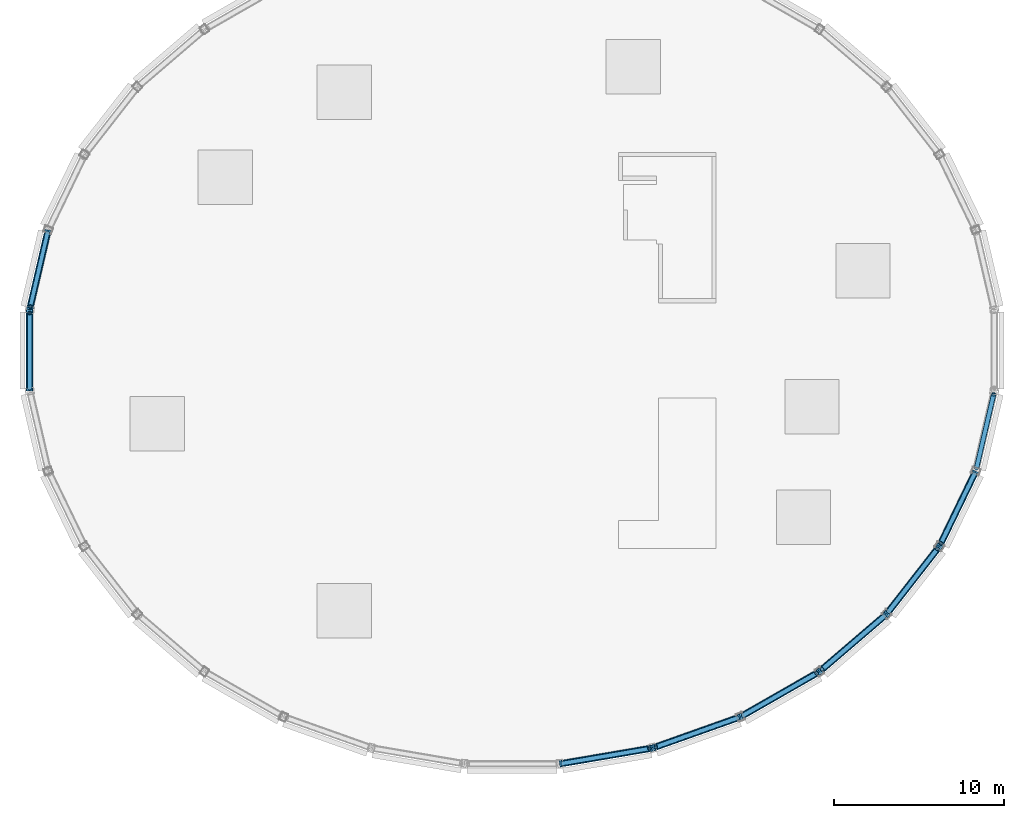
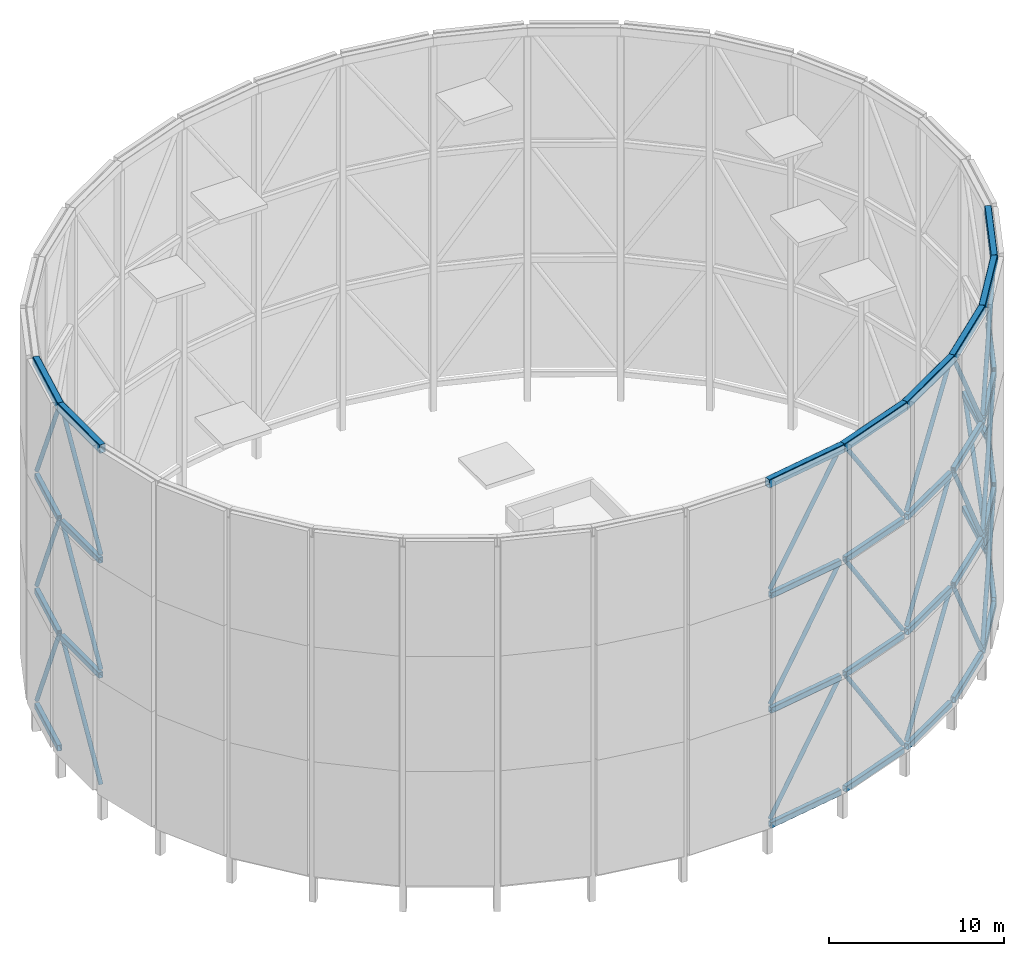
# One storey, part 4 of 8: 33 beams, 25 members.
"""IFC4 building model written with IfcOpenShell, lengths in metres."""

from ifc_helpers import new_model, si_unit, direction, frame, origin, origin_2d, place, context, subcontext, project, spatial, hollow_rectangle, hollow_circle, extrude, material, material_profile, profile_set, type_object, element, save


model = new_model("IFC4")

# Units and contexts
model_context = context("Model", 3, precision=1e-05, world=origin(), true_north=direction((0.0, 1.0)))
body_context = subcontext(model_context, "Body", "Model", "MODEL_VIEW")
ifc_project = project(units=[si_unit("LENGTHUNIT", "METRE"), si_unit("AREAUNIT", "SQUARE_METRE"), si_unit("VOLUMEUNIT", "CUBIC_METRE"), si_unit("PLANEANGLEUNIT", "RADIAN"), si_unit("MASSUNIT", "GRAM", prefix="KILO")], contexts=[model_context])

# Site, building, storey
site_placement = place(None, origin())
site = spatial("IfcSite", under=ifc_project, at=site_placement, CompositionType="ELEMENT")
building_placement = place(site_placement, origin())
building = spatial("IfcBuilding", under=site, at=building_placement, Name="Halqa Exchange Tower", CompositionType="ELEMENT")
storey_placement = place(building_placement, frame((0.0, 0.0, 355.300048828125)))
storey = spatial("IfcBuildingStorey", under=building, at=storey_placement, Name="Roof level crown frame", CompositionType="ELEMENT", Elevation=355.300048828125)

# Members
ifc_material = material(Name="Steel S355", Category="steel")
ifc_material_profile_1 = material_profile(ifc_material, hollow_circle(Radius=0.136474609375, WallThickness=0.01611328125, at=origin_2d()), Name="CHS 273x16")
ifc_profile_set_1 = profile_set([ifc_material_profile_1], Name="Steel S355")
member_type = type_object("IfcMemberType", Name="CROWN FRAME brace CHS 273x16", PredefinedType="BRACE", material=ifc_profile_set_1)
member_1_placement = place(storey_placement, frame((-27.31591796875, 6.906005859375, 2.199951171875), z_axis=(-0.114045514436, -0.491488463358, 0.86338445146), x_axis=(0.974119033912, -0.22603563385, 0.0)))
element("IfcMember", 1, at=member_1_placement, inside=storey, type_object=member_type, Name="Crown frame brace 2.15", PredefinedType="BRACE", context=body_context, shape_type="SweptSolid", body=[
    extrude(hollow_circle(Radius=0.136474609375, WallThickness=0.01611328125, at=origin_2d()), origin(), (0.0, 0.0, 1.0), 8.802734375),
])
member_2_placement = place(storey_placement, frame((-28.36279296875, 2.204345703125, 9.800048828125), z_axis=(0.0, -0.501772148511, -0.864999832936), x_axis=(1.0, 0.0, 0.0)))
element("IfcMember", 2, at=member_2_placement, inside=storey, type_object=member_type, Name="Crown frame brace 2.16", PredefinedType="BRACE", context=body_context, shape_type="SweptSolid", body=[
    extrude(hollow_circle(Radius=0.136474609375, WallThickness=0.01611328125, at=origin_2d()), origin(), (0.0, 0.0, 1.0), 8.7861328125),
])
member_3_placement = place(storey_placement, frame((2.980712890625, -24.279052734375, 2.199951171875), z_axis=(0.555086491161, 0.094638132042, 0.826391318501), x_axis=(-0.168067416098, 0.985775503675, 0.0)))
element("IfcMember", 3, at=member_3_placement, inside=storey, type_object=member_type, Name="Crown frame brace 2.25", PredefinedType="BRACE", context=body_context, shape_type="SweptSolid", body=[
    extrude(hollow_circle(Radius=0.136474609375, WallThickness=0.01611328125, at=origin_2d()), origin(), (0.0, 0.0, 1.0), 9.19677734375),
])
member_4_placement = place(storey_placement, frame((8.4521484375, -23.31298828125, 9.800048828125), z_axis=(0.52490509772, 0.186351314235, -0.830510581552), x_axis=(-0.334560791797, 0.942374170164, 0.0)))
element("IfcMember", 4, at=member_4_placement, inside=storey, type_object=member_type, Name="Crown frame brace 2.26", PredefinedType="BRACE", context=body_context, shape_type="SweptSolid", body=[
    extrude(hollow_circle(Radius=0.136474609375, WallThickness=0.01611328125, at=origin_2d()), origin(), (0.0, 0.0, 1.0), 9.151123046875),
])
member_5_placement = place(storey_placement, frame((13.599609375, -21.44970703125, 2.199951171875), z_axis=(0.475152360308, 0.27213002748, 0.836764890897), x_axis=(-0.496984556947, 0.867759384943, 0.0)))
element("IfcMember", 5, at=member_5_placement, inside=storey, type_object=member_type, Name="Crown frame brace 2.27", PredefinedType="BRACE", context=body_context, shape_type="SweptSolid", body=[
    extrude(hollow_circle(Radius=0.136474609375, WallThickness=0.01611328125, at=origin_2d()), origin(), (0.0, 0.0, 1.0), 9.082763671875),
])
member_6_placement = place(storey_placement, frame((18.224609375, -18.760009765625, 9.800048828125), z_axis=(0.406814817738, 0.34871778863, -0.844332640588), x_axis=(-0.650812216448, 0.759238736447, 0.0)))
element("IfcMember", 6, at=member_6_placement, inside=storey, type_object=member_type, Name="Crown frame brace 2.28", PredefinedType="BRACE", context=body_context, shape_type="SweptSolid", body=[
    extrude(hollow_circle(Radius=0.136474609375, WallThickness=0.01611328125, at=origin_2d()), origin(), (0.0, 0.0, 1.0), 9.001220703125),
])
member_7_placement = place(storey_placement, frame((22.147705078125, -15.347412109375, 2.199951171875), z_axis=(0.32180529833, 0.412815132212, 0.852071016162), x_axis=(-0.788678776102, 0.614805488041, 0.0)))
element("IfcMember", 7, at=member_7_placement, inside=storey, type_object=member_type, Name="Crown frame brace 2.29", PredefinedType="BRACE", context=body_context, shape_type="SweptSolid", body=[
    extrude(hollow_circle(Radius=0.136474609375, WallThickness=0.01611328125, at=origin_2d()), origin(), (0.0, 0.0, 1.0), 8.919677734375),
])
member_8_placement = place(storey_placement, frame((25.217529296875, -11.344482421875, 9.800048828125), z_axis=(0.222905657614, 0.461287809526, -0.85879370316), x_axis=(-0.900387276879, 0.435089360516, 0.0)))
element("IfcMember", 8, at=member_8_placement, inside=storey, type_object=member_type, Name="Crown frame brace 2.30", PredefinedType="BRACE", context=body_context, shape_type="SweptSolid", body=[
    extrude(hollow_circle(Radius=0.136474609375, WallThickness=0.01611328125, at=origin_2d()), origin(), (0.0, 0.0, 1.0), 8.849853515625),
])
for number, where, z_axis, x_axis, name in (
    (9, (27.31591796875, -6.906005859375, 2.199951171875), (0.114045514436, 0.491488463358, 0.86338445146), (-0.974119033912, 0.22603563385, 0.0), "Crown frame brace 2.31"),
    (10, (-27.31591796875, 6.906005859375, 10.199951171875), (-0.114045514436, -0.491488463358, 0.86338445146), (0.974119033912, -0.22603563385, 0.0), "Crown frame brace 3.15"),
):
    element("IfcMember", number, at=place(storey_placement, frame(where, z_axis=z_axis, x_axis=x_axis)), inside=storey, type_object=member_type, Name=name, PredefinedType="BRACE", context=body_context, shape_type="SweptSolid", body=[
        extrude(hollow_circle(Radius=0.136474609375, WallThickness=0.01611328125, at=origin_2d()), origin(), (0.0, 0.0, 1.0), 8.802734375),
    ])
member_9_placement = place(storey_placement, frame((-28.36279296875, 2.204345703125, 17.800048828125), z_axis=(0.0, -0.501772148511, -0.864999832936), x_axis=(1.0, 0.0, 0.0)))
element("IfcMember", 11, at=member_9_placement, inside=storey, type_object=member_type, Name="Crown frame brace 3.16", PredefinedType="BRACE", context=body_context, shape_type="SweptSolid", body=[
    extrude(hollow_circle(Radius=0.136474609375, WallThickness=0.01611328125, at=origin_2d()), origin(), (0.0, 0.0, 1.0), 8.7861328125),
])
member_10_placement = place(storey_placement, frame((2.980712890625, -24.279052734375, 10.199951171875), z_axis=(0.555086491161, 0.094638132042, 0.826391318501), x_axis=(-0.168067416098, 0.985775503675, 0.0)))
element("IfcMember", 12, at=member_10_placement, inside=storey, type_object=member_type, Name="Crown frame brace 3.25", PredefinedType="BRACE", context=body_context, shape_type="SweptSolid", body=[
    extrude(hollow_circle(Radius=0.136474609375, WallThickness=0.01611328125, at=origin_2d()), origin(), (0.0, 0.0, 1.0), 9.19677734375),
])
member_11_placement = place(storey_placement, frame((8.4521484375, -23.31298828125, 17.800048828125), z_axis=(0.52490509772, 0.186351314235, -0.830510581552), x_axis=(-0.334560791797, 0.942374170164, 0.0)))
element("IfcMember", 13, at=member_11_placement, inside=storey, type_object=member_type, Name="Crown frame brace 3.26", PredefinedType="BRACE", context=body_context, shape_type="SweptSolid", body=[
    extrude(hollow_circle(Radius=0.136474609375, WallThickness=0.01611328125, at=origin_2d()), origin(), (0.0, 0.0, 1.0), 9.151123046875),
])
member_12_placement = place(storey_placement, frame((13.599609375, -21.44970703125, 10.199951171875), z_axis=(0.475152360308, 0.27213002748, 0.836764890897), x_axis=(-0.496984556947, 0.867759384943, 0.0)))
element("IfcMember", 14, at=member_12_placement, inside=storey, type_object=member_type, Name="Crown frame brace 3.27", PredefinedType="BRACE", context=body_context, shape_type="SweptSolid", body=[
    extrude(hollow_circle(Radius=0.136474609375, WallThickness=0.01611328125, at=origin_2d()), origin(), (0.0, 0.0, 1.0), 9.082763671875),
])
member_13_placement = place(storey_placement, frame((18.224609375, -18.760009765625, 17.800048828125), z_axis=(0.406814817738, 0.34871778863, -0.844332640588), x_axis=(-0.650812216448, 0.759238736447, 0.0)))
element("IfcMember", 15, at=member_13_placement, inside=storey, type_object=member_type, Name="Crown frame brace 3.28", PredefinedType="BRACE", context=body_context, shape_type="SweptSolid", body=[
    extrude(hollow_circle(Radius=0.136474609375, WallThickness=0.01611328125, at=origin_2d()), origin(), (0.0, 0.0, 1.0), 9.001220703125),
])
member_14_placement = place(storey_placement, frame((22.147705078125, -15.347412109375, 10.199951171875), z_axis=(0.32180529833, 0.412815132212, 0.852071016162), x_axis=(-0.788678776102, 0.614805488041, 0.0)))
element("IfcMember", 16, at=member_14_placement, inside=storey, type_object=member_type, Name="Crown frame brace 3.29", PredefinedType="BRACE", context=body_context, shape_type="SweptSolid", body=[
    extrude(hollow_circle(Radius=0.136474609375, WallThickness=0.01611328125, at=origin_2d()), origin(), (0.0, 0.0, 1.0), 8.919677734375),
])
member_15_placement = place(storey_placement, frame((25.217529296875, -11.344482421875, 17.800048828125), z_axis=(0.222905657614, 0.461287809526, -0.85879370316), x_axis=(-0.900387276879, 0.435089360516, 0.0)))
element("IfcMember", 17, at=member_15_placement, inside=storey, type_object=member_type, Name="Crown frame brace 3.30", PredefinedType="BRACE", context=body_context, shape_type="SweptSolid", body=[
    extrude(hollow_circle(Radius=0.136474609375, WallThickness=0.01611328125, at=origin_2d()), origin(), (0.0, 0.0, 1.0), 8.849853515625),
])
member_16_placement = place(storey_placement, frame((-27.31591796875, 6.906005859375, 18.199951171875), z_axis=(-0.115174356255, -0.496353299414, 0.860446552565), x_axis=(0.974119033912, -0.22603563385, 0.0)))
element("IfcMember", 18, at=member_16_placement, inside=storey, type_object=member_type, Name="Crown frame brace 4.15", PredefinedType="BRACE", context=body_context, shape_type="SweptSolid", body=[
    extrude(hollow_circle(Radius=0.136474609375, WallThickness=0.01611328125, at=origin_2d()), origin(), (0.0, 0.0, 1.0), 8.71630859375),
])
member_17_placement = place(storey_placement, frame((-28.36279296875, 2.204345703125, 25.699951171875), z_axis=(0.0, -0.506757654761, -0.862088556554), x_axis=(1.0, 0.0, 0.0)))
element("IfcMember", 19, at=member_17_placement, inside=storey, type_object=member_type, Name="Crown frame brace 4.16", PredefinedType="BRACE", context=body_context, shape_type="SweptSolid", body=[
    extrude(hollow_circle(Radius=0.136474609375, WallThickness=0.01611328125, at=origin_2d()), origin(), (0.0, 0.0, 1.0), 8.69970703125),
])
member_18_placement = place(storey_placement, frame((2.980712890625, -24.279052734375, 18.199951171875), z_axis=(0.560113810766, 0.095495252768, 0.822893173923), x_axis=(-0.168067416098, 0.985775503675, 0.0)))
element("IfcMember", 20, at=member_18_placement, inside=storey, type_object=member_type, Name="Crown frame brace 4.25", PredefinedType="BRACE", context=body_context, shape_type="SweptSolid", body=[
    extrude(hollow_circle(Radius=0.136474609375, WallThickness=0.01611328125, at=origin_2d()), origin(), (0.0, 0.0, 1.0), 9.1142578125),
])
member_19_placement = place(storey_placement, frame((8.4521484375, -23.31298828125, 25.699951171875), z_axis=(0.529707235587, 0.188056164705, -0.827070204688), x_axis=(-0.334560791797, 0.942374170164, 0.0)))
element("IfcMember", 21, at=member_19_placement, inside=storey, type_object=member_type, Name="Crown frame brace 4.26", PredefinedType="BRACE", context=body_context, shape_type="SweptSolid", body=[
    extrude(hollow_circle(Radius=0.136474609375, WallThickness=0.01611328125, at=origin_2d()), origin(), (0.0, 0.0, 1.0), 9.068115234375),
])
member_20_placement = place(storey_placement, frame((13.599609375, -21.44970703125, 18.199951171875), z_axis=(0.479565967415, 0.274657795673, 0.833414409627), x_axis=(-0.496984556947, 0.867759384943, 0.0)))
element("IfcMember", 22, at=member_20_placement, inside=storey, type_object=member_type, Name="Crown frame brace 4.27", PredefinedType="BRACE", context=body_context, shape_type="SweptSolid", body=[
    extrude(hollow_circle(Radius=0.136474609375, WallThickness=0.01611328125, at=origin_2d()), origin(), (0.0, 0.0, 1.0), 8.9990234375),
])
member_21_placement = place(storey_placement, frame((18.224609375, -18.760009765625, 25.699951171875), z_axis=(0.410663287748, 0.352016660482, -0.841094486273), x_axis=(-0.650812216448, 0.759238736447, 0.0)))
element("IfcMember", 23, at=member_21_placement, inside=storey, type_object=member_type, Name="Crown frame brace 4.28", PredefinedType="BRACE", context=body_context, shape_type="SweptSolid", body=[
    extrude(hollow_circle(Radius=0.136474609375, WallThickness=0.01611328125, at=origin_2d()), origin(), (0.0, 0.0, 1.0), 8.9169921875),
])
member_22_placement = place(storey_placement, frame((22.147705078125, -15.347412109375, 18.199951171875), z_axis=(0.324906448646, 0.416793319595, 0.848951782122), x_axis=(-0.788678776102, 0.614805488041, 0.0)))
element("IfcMember", 24, at=member_22_placement, inside=storey, type_object=member_type, Name="Crown frame brace 4.29", PredefinedType="BRACE", context=body_context, shape_type="SweptSolid", body=[
    extrude(hollow_circle(Radius=0.136474609375, WallThickness=0.01611328125, at=origin_2d()), origin(), (0.0, 0.0, 1.0), 8.83447265625),
])
member_23_placement = place(storey_placement, frame((25.217529296875, -11.344482421875, 25.699951171875), z_axis=(0.22508827003, 0.465804574651, -0.855781145462), x_axis=(-0.900387276879, 0.435089360516, 0.0)))
element("IfcMember", 25, at=member_23_placement, inside=storey, type_object=member_type, Name="Crown frame brace 4.30", PredefinedType="BRACE", context=body_context, shape_type="SweptSolid", body=[
    extrude(hollow_circle(Radius=0.136474609375, WallThickness=0.01611328125, at=origin_2d()), origin(), (0.0, 0.0, 1.0), 8.763916015625),
])

# Beams
ifc_material_profile_2 = material_profile(ifc_material, hollow_rectangle(XDim=0.39990234375, YDim=0.60009765625, WallThickness=0.02490234375, InnerFilletRadius=0.03759765625, OuterFilletRadius=0.050048828125, at=origin_2d()), Name="RHS 600x400x25")
ifc_profile_set_2 = profile_set([ifc_material_profile_2], Name="Steel S355")
beam_type_1 = type_object("IfcBeamType", Name="CROWN FRAME cap beam RHS 600x400x25", PredefinedType="BEAM", material=ifc_profile_set_2)
beam_1_placement = place(storey_placement, frame((-27.272705078125, 7.09130859375, 25.699951171875), z_axis=(-0.226072226759, -0.97411054213, 0.0), x_axis=(0.97411054213, -0.226072226759, 0.0)))
element("IfcBeam", 26, at=beam_1_placement, inside=storey, type_object=beam_type_1, Name="Crown frame cap beam 4.15", PredefinedType="BEAM", context=body_context, shape_type="SweptSolid", body=[
    extrude(hollow_rectangle(XDim=0.39990234375, YDim=0.60009765625, WallThickness=0.02490234375, InnerFilletRadius=0.03759765625, OuterFilletRadius=0.050048828125, at=origin_2d()), origin(), (0.0, 0.0, 1.0), 4.82177734375),
])
beam_2_placement = place(storey_placement, frame((-28.36279296875, 2.394287109375, 25.699951171875), z_axis=(0.0, -1.0, 0.0), x_axis=(1.0, 0.0, 0.0)))
element("IfcBeam", 27, at=beam_2_placement, inside=storey, type_object=beam_type_1, Name="Crown frame cap beam 4.16", PredefinedType="BEAM", context=body_context, shape_type="SweptSolid", body=[
    extrude(hollow_rectangle(XDim=0.39990234375, YDim=0.60009765625, WallThickness=0.02490234375, InnerFilletRadius=0.03759765625, OuterFilletRadius=0.050048828125, at=origin_2d()), origin(), (0.0, 0.0, 1.0), 4.78857421875),
])
beam_3_placement = place(storey_placement, frame((2.79345703125, -24.31103515625, 25.699951171875), z_axis=(0.985773365206, 0.168079958505, 0.0), x_axis=(-0.168079958505, 0.985773365206, 0.0)))
element("IfcBeam", 28, at=beam_3_placement, inside=storey, type_object=beam_type_1, Name="Crown frame cap beam 4.25", PredefinedType="BEAM", context=body_context, shape_type="SweptSolid", body=[
    extrude(hollow_rectangle(XDim=0.39990234375, YDim=0.60009765625, WallThickness=0.02490234375, InnerFilletRadius=0.03759765625, OuterFilletRadius=0.050048828125, at=origin_2d()), origin(), (0.0, 0.0, 1.0), 5.558837890625),
])
beam_4_placement = place(storey_placement, frame((8.273193359375, -23.376708984375, 25.699951171875), z_axis=(0.942371541637, 0.334568195607, 0.0), x_axis=(-0.334568195607, 0.942371541637, 0.0)))
element("IfcBeam", 29, at=beam_4_placement, inside=storey, type_object=beam_type_1, Name="Crown frame cap beam 4.26", PredefinedType="BEAM", context=body_context, shape_type="SweptSolid", body=[
    extrude(hollow_rectangle(XDim=0.39990234375, YDim=0.60009765625, WallThickness=0.02490234375, InnerFilletRadius=0.03759765625, OuterFilletRadius=0.050048828125, at=origin_2d()), origin(), (0.0, 0.0, 1.0), 5.477294921875),
])
beam_5_placement = place(storey_placement, frame((13.434814453125, -21.544189453125, 25.699951171875), z_axis=(0.867743142166, 0.497012916557, 0.0), x_axis=(-0.497012916557, 0.867743142166, 0.0)))
element("IfcBeam", 30, at=beam_5_placement, inside=storey, type_object=beam_type_1, Name="Crown frame cap beam 4.27", PredefinedType="BEAM", context=body_context, shape_type="SweptSolid", body=[
    extrude(hollow_rectangle(XDim=0.39990234375, YDim=0.60009765625, WallThickness=0.02490234375, InnerFilletRadius=0.03759765625, OuterFilletRadius=0.050048828125, at=origin_2d()), origin(), (0.0, 0.0, 1.0), 5.353271484375),
])
beam_6_placement = place(storey_placement, frame((18.080078125, -18.883544921875, 25.699951171875), z_axis=(0.759263226359, 0.650783645384, 0.0), x_axis=(-0.650783645384, 0.759263226359, 0.0)))
element("IfcBeam", 31, at=beam_6_placement, inside=storey, type_object=beam_type_1, Name="Crown frame cap beam 4.28", PredefinedType="BEAM", context=body_context, shape_type="SweptSolid", body=[
    extrude(hollow_rectangle(XDim=0.39990234375, YDim=0.60009765625, WallThickness=0.02490234375, InnerFilletRadius=0.03759765625, OuterFilletRadius=0.050048828125, at=origin_2d()), origin(), (0.0, 0.0, 1.0), 5.203369140625),
])
beam_7_placement = place(storey_placement, frame((22.03076171875, -15.497314453125, 25.699951171875), z_axis=(0.614820715009, 0.788666905858, 0.0), x_axis=(-0.788666905858, 0.614820715009, 0.0)))
element("IfcBeam", 32, at=beam_7_placement, inside=storey, type_object=beam_type_1, Name="Crown frame cap beam 4.29", PredefinedType="BEAM", context=body_context, shape_type="SweptSolid", body=[
    extrude(hollow_rectangle(XDim=0.39990234375, YDim=0.60009765625, WallThickness=0.02490234375, InnerFilletRadius=0.03759765625, OuterFilletRadius=0.050048828125, at=origin_2d()), origin(), (0.0, 0.0, 1.0), 5.048583984375),
])
beam_8_placement = place(storey_placement, frame((25.134765625, -11.515625, 25.699951171875), z_axis=(0.435089449645, 0.90038723381, 0.0), x_axis=(-0.90038723381, 0.435089449645, 0.0)))
element("IfcBeam", 33, at=beam_8_placement, inside=storey, type_object=beam_type_1, Name="Crown frame cap beam 4.30", PredefinedType="BEAM", context=body_context, shape_type="SweptSolid", body=[
    extrude(hollow_rectangle(XDim=0.39990234375, YDim=0.60009765625, WallThickness=0.02490234375, InnerFilletRadius=0.03759765625, OuterFilletRadius=0.050048828125, at=origin_2d()), origin(), (0.0, 0.0, 1.0), 4.913818359375),
])
ifc_material_profile_3 = material_profile(ifc_material, hollow_rectangle(XDim=0.300048828125, YDim=0.39990234375, WallThickness=0.01611328125, InnerFilletRadius=0.02392578125, OuterFilletRadius=0.031982421875, at=origin_2d()), Name="RHS 400x300x16")
ifc_profile_set_3 = profile_set([ifc_material_profile_3], Name="Steel S355")
beam_type_2 = type_object("IfcBeamType", Name="CROWN FRAME ring beam RHS 400x300x16", PredefinedType="BEAM", material=ifc_profile_set_3)
beam_9_placement = place(storey_placement, frame((-27.31591796875, 6.906005859375, 1.800048828125), z_axis=(-0.22603563385, -0.974119033912, 0.0), x_axis=(0.974119033912, -0.22603563385, 0.0)))
element("IfcBeam", 34, at=beam_9_placement, inside=storey, type_object=beam_type_2, Name="Crown frame ring beam 1.15", PredefinedType="BEAM", context=body_context, shape_type="SweptSolid", body=[
    extrude(hollow_rectangle(XDim=0.300048828125, YDim=0.39990234375, WallThickness=0.01611328125, InnerFilletRadius=0.02392578125, OuterFilletRadius=0.031982421875, at=origin_2d()), origin(), (0.0, 0.0, 1.0), 4.44140625),
])
beam_10_placement = place(storey_placement, frame((2.980712890625, -24.279052734375, 1.800048828125), z_axis=(0.985775503675, 0.168067416098, 0.0), x_axis=(-0.168067416098, 0.985775503675, 0.0)))
element("IfcBeam", 35, at=beam_10_placement, inside=storey, type_object=beam_type_2, Name="Crown frame ring beam 1.25", PredefinedType="BEAM", context=body_context, shape_type="SweptSolid", body=[
    extrude(hollow_rectangle(XDim=0.300048828125, YDim=0.39990234375, WallThickness=0.01611328125, InnerFilletRadius=0.02392578125, OuterFilletRadius=0.031982421875, at=origin_2d()), origin(), (0.0, 0.0, 1.0), 5.1787109375),
])
beam_11_placement = place(storey_placement, frame((8.4521484375, -23.31298828125, 1.800048828125), z_axis=(0.942374170164, 0.334560791797, 0.0), x_axis=(-0.334560791797, 0.942374170164, 0.0)))
element("IfcBeam", 36, at=beam_11_placement, inside=storey, type_object=beam_type_2, Name="Crown frame ring beam 1.26", PredefinedType="BEAM", context=body_context, shape_type="SweptSolid", body=[
    extrude(hollow_rectangle(XDim=0.300048828125, YDim=0.39990234375, WallThickness=0.01611328125, InnerFilletRadius=0.02392578125, OuterFilletRadius=0.031982421875, at=origin_2d()), origin(), (0.0, 0.0, 1.0), 5.09716796875),
])
beam_12_placement = place(storey_placement, frame((13.599609375, -21.44970703125, 1.800048828125), z_axis=(0.867759384943, 0.496984556947, 0.0), x_axis=(-0.496984556947, 0.867759384943, 0.0)))
element("IfcBeam", 37, at=beam_12_placement, inside=storey, type_object=beam_type_2, Name="Crown frame ring beam 1.27", PredefinedType="BEAM", context=body_context, shape_type="SweptSolid", body=[
    extrude(hollow_rectangle(XDim=0.300048828125, YDim=0.39990234375, WallThickness=0.01611328125, InnerFilletRadius=0.02392578125, OuterFilletRadius=0.031982421875, at=origin_2d()), origin(), (0.0, 0.0, 1.0), 4.973388671875),
])
beam_13_placement = place(storey_placement, frame((18.224609375, -18.760009765625, 1.800048828125), z_axis=(0.759238736447, 0.650812216448, 0.0), x_axis=(-0.650812216448, 0.759238736447, 0.0)))
element("IfcBeam", 38, at=beam_13_placement, inside=storey, type_object=beam_type_2, Name="Crown frame ring beam 1.28", PredefinedType="BEAM", context=body_context, shape_type="SweptSolid", body=[
    extrude(hollow_rectangle(XDim=0.300048828125, YDim=0.39990234375, WallThickness=0.01611328125, InnerFilletRadius=0.02392578125, OuterFilletRadius=0.031982421875, at=origin_2d()), origin(), (0.0, 0.0, 1.0), 4.822998046875),
])
beam_14_placement = place(storey_placement, frame((22.147705078125, -15.347412109375, 1.800048828125), z_axis=(0.614805488041, 0.788678776102, 0.0), x_axis=(-0.788678776102, 0.614805488041, 0.0)))
element("IfcBeam", 39, at=beam_14_placement, inside=storey, type_object=beam_type_2, Name="Crown frame ring beam 1.29", PredefinedType="BEAM", context=body_context, shape_type="SweptSolid", body=[
    extrude(hollow_rectangle(XDim=0.300048828125, YDim=0.39990234375, WallThickness=0.01611328125, InnerFilletRadius=0.02392578125, OuterFilletRadius=0.031982421875, at=origin_2d()), origin(), (0.0, 0.0, 1.0), 4.668701171875),
])
beam_15_placement = place(storey_placement, frame((25.217529296875, -11.344482421875, 1.800048828125), z_axis=(0.435089360516, 0.900387276879, 0.0), x_axis=(-0.900387276879, 0.435089360516, 0.0)))
element("IfcBeam", 40, at=beam_15_placement, inside=storey, type_object=beam_type_2, Name="Crown frame ring beam 1.30", PredefinedType="BEAM", context=body_context, shape_type="SweptSolid", body=[
    extrude(hollow_rectangle(XDim=0.300048828125, YDim=0.39990234375, WallThickness=0.01611328125, InnerFilletRadius=0.02392578125, OuterFilletRadius=0.031982421875, at=origin_2d()), origin(), (0.0, 0.0, 1.0), 4.533935546875),
])
for number, where, z_axis, x_axis, name in (
    (41, (27.31591796875, -6.906005859375, 1.800048828125), (0.22603563385, 0.974119033912, 0.0), (-0.974119033912, 0.22603563385, 0.0), "Crown frame ring beam 1.31"),
    (42, (-27.31591796875, 6.906005859375, 9.800048828125), (-0.22603563385, -0.974119033912, 0.0), (0.974119033912, -0.22603563385, 0.0), "Crown frame ring beam 2.15"),
):
    element("IfcBeam", number, at=place(storey_placement, frame(where, z_axis=z_axis, x_axis=x_axis)), inside=storey, type_object=beam_type_2, Name=name, PredefinedType="BEAM", context=body_context, shape_type="SweptSolid", body=[
        extrude(hollow_rectangle(XDim=0.300048828125, YDim=0.39990234375, WallThickness=0.01611328125, InnerFilletRadius=0.02392578125, OuterFilletRadius=0.031982421875, at=origin_2d()), origin(), (0.0, 0.0, 1.0), 4.44140625),
    ])
beam_16_placement = place(storey_placement, frame((-28.36279296875, 2.204345703125, 9.800048828125), z_axis=(0.0, -1.0, 0.0), x_axis=(1.0, 0.0, 0.0)))
element("IfcBeam", 43, at=beam_16_placement, inside=storey, type_object=beam_type_2, Name="Crown frame ring beam 2.16", PredefinedType="BEAM", context=body_context, shape_type="SweptSolid", body=[
    extrude(hollow_rectangle(XDim=0.300048828125, YDim=0.39990234375, WallThickness=0.01611328125, InnerFilletRadius=0.02392578125, OuterFilletRadius=0.031982421875, at=origin_2d()), origin(), (0.0, 0.0, 1.0), 4.40869140625),
])
beam_17_placement = place(storey_placement, frame((2.980712890625, -24.279052734375, 9.800048828125), z_axis=(0.985775503675, 0.168067416098, 0.0), x_axis=(-0.168067416098, 0.985775503675, 0.0)))
element("IfcBeam", 44, at=beam_17_placement, inside=storey, type_object=beam_type_2, Name="Crown frame ring beam 2.25", PredefinedType="BEAM", context=body_context, shape_type="SweptSolid", body=[
    extrude(hollow_rectangle(XDim=0.300048828125, YDim=0.39990234375, WallThickness=0.01611328125, InnerFilletRadius=0.02392578125, OuterFilletRadius=0.031982421875, at=origin_2d()), origin(), (0.0, 0.0, 1.0), 5.1787109375),
])
beam_18_placement = place(storey_placement, frame((8.4521484375, -23.31298828125, 9.800048828125), z_axis=(0.942374170164, 0.334560791797, 0.0), x_axis=(-0.334560791797, 0.942374170164, 0.0)))
element("IfcBeam", 45, at=beam_18_placement, inside=storey, type_object=beam_type_2, Name="Crown frame ring beam 2.26", PredefinedType="BEAM", context=body_context, shape_type="SweptSolid", body=[
    extrude(hollow_rectangle(XDim=0.300048828125, YDim=0.39990234375, WallThickness=0.01611328125, InnerFilletRadius=0.02392578125, OuterFilletRadius=0.031982421875, at=origin_2d()), origin(), (0.0, 0.0, 1.0), 5.09716796875),
])
beam_19_placement = place(storey_placement, frame((13.599609375, -21.44970703125, 9.800048828125), z_axis=(0.867759384943, 0.496984556947, 0.0), x_axis=(-0.496984556947, 0.867759384943, 0.0)))
element("IfcBeam", 46, at=beam_19_placement, inside=storey, type_object=beam_type_2, Name="Crown frame ring beam 2.27", PredefinedType="BEAM", context=body_context, shape_type="SweptSolid", body=[
    extrude(hollow_rectangle(XDim=0.300048828125, YDim=0.39990234375, WallThickness=0.01611328125, InnerFilletRadius=0.02392578125, OuterFilletRadius=0.031982421875, at=origin_2d()), origin(), (0.0, 0.0, 1.0), 4.973388671875),
])
beam_20_placement = place(storey_placement, frame((18.224609375, -18.760009765625, 9.800048828125), z_axis=(0.759238736447, 0.650812216448, 0.0), x_axis=(-0.650812216448, 0.759238736447, 0.0)))
element("IfcBeam", 47, at=beam_20_placement, inside=storey, type_object=beam_type_2, Name="Crown frame ring beam 2.28", PredefinedType="BEAM", context=body_context, shape_type="SweptSolid", body=[
    extrude(hollow_rectangle(XDim=0.300048828125, YDim=0.39990234375, WallThickness=0.01611328125, InnerFilletRadius=0.02392578125, OuterFilletRadius=0.031982421875, at=origin_2d()), origin(), (0.0, 0.0, 1.0), 4.822998046875),
])
beam_21_placement = place(storey_placement, frame((22.147705078125, -15.347412109375, 9.800048828125), z_axis=(0.614805488041, 0.788678776102, 0.0), x_axis=(-0.788678776102, 0.614805488041, 0.0)))
element("IfcBeam", 48, at=beam_21_placement, inside=storey, type_object=beam_type_2, Name="Crown frame ring beam 2.29", PredefinedType="BEAM", context=body_context, shape_type="SweptSolid", body=[
    extrude(hollow_rectangle(XDim=0.300048828125, YDim=0.39990234375, WallThickness=0.01611328125, InnerFilletRadius=0.02392578125, OuterFilletRadius=0.031982421875, at=origin_2d()), origin(), (0.0, 0.0, 1.0), 4.668701171875),
])
beam_22_placement = place(storey_placement, frame((25.217529296875, -11.344482421875, 9.800048828125), z_axis=(0.435089360516, 0.900387276879, 0.0), x_axis=(-0.900387276879, 0.435089360516, 0.0)))
element("IfcBeam", 49, at=beam_22_placement, inside=storey, type_object=beam_type_2, Name="Crown frame ring beam 2.30", PredefinedType="BEAM", context=body_context, shape_type="SweptSolid", body=[
    extrude(hollow_rectangle(XDim=0.300048828125, YDim=0.39990234375, WallThickness=0.01611328125, InnerFilletRadius=0.02392578125, OuterFilletRadius=0.031982421875, at=origin_2d()), origin(), (0.0, 0.0, 1.0), 4.533935546875),
])
for number, where, z_axis, x_axis, name in (
    (50, (27.31591796875, -6.906005859375, 9.800048828125), (0.22603563385, 0.974119033912, 0.0), (-0.974119033912, 0.22603563385, 0.0), "Crown frame ring beam 2.31"),
    (51, (-27.31591796875, 6.906005859375, 17.800048828125), (-0.22603563385, -0.974119033912, 0.0), (0.974119033912, -0.22603563385, 0.0), "Crown frame ring beam 3.15"),
):
    element("IfcBeam", number, at=place(storey_placement, frame(where, z_axis=z_axis, x_axis=x_axis)), inside=storey, type_object=beam_type_2, Name=name, PredefinedType="BEAM", context=body_context, shape_type="SweptSolid", body=[
        extrude(hollow_rectangle(XDim=0.300048828125, YDim=0.39990234375, WallThickness=0.01611328125, InnerFilletRadius=0.02392578125, OuterFilletRadius=0.031982421875, at=origin_2d()), origin(), (0.0, 0.0, 1.0), 4.44140625),
    ])
beam_23_placement = place(storey_placement, frame((-28.36279296875, 2.204345703125, 17.800048828125), z_axis=(0.0, -1.0, 0.0), x_axis=(1.0, 0.0, 0.0)))
element("IfcBeam", 52, at=beam_23_placement, inside=storey, type_object=beam_type_2, Name="Crown frame ring beam 3.16", PredefinedType="BEAM", context=body_context, shape_type="SweptSolid", body=[
    extrude(hollow_rectangle(XDim=0.300048828125, YDim=0.39990234375, WallThickness=0.01611328125, InnerFilletRadius=0.02392578125, OuterFilletRadius=0.031982421875, at=origin_2d()), origin(), (0.0, 0.0, 1.0), 4.40869140625),
])
beam_24_placement = place(storey_placement, frame((2.980712890625, -24.279052734375, 17.800048828125), z_axis=(0.985775503675, 0.168067416098, 0.0), x_axis=(-0.168067416098, 0.985775503675, 0.0)))
element("IfcBeam", 53, at=beam_24_placement, inside=storey, type_object=beam_type_2, Name="Crown frame ring beam 3.25", PredefinedType="BEAM", context=body_context, shape_type="SweptSolid", body=[
    extrude(hollow_rectangle(XDim=0.300048828125, YDim=0.39990234375, WallThickness=0.01611328125, InnerFilletRadius=0.02392578125, OuterFilletRadius=0.031982421875, at=origin_2d()), origin(), (0.0, 0.0, 1.0), 5.1787109375),
])
beam_25_placement = place(storey_placement, frame((8.4521484375, -23.31298828125, 17.800048828125), z_axis=(0.942374170164, 0.334560791797, 0.0), x_axis=(-0.334560791797, 0.942374170164, 0.0)))
element("IfcBeam", 54, at=beam_25_placement, inside=storey, type_object=beam_type_2, Name="Crown frame ring beam 3.26", PredefinedType="BEAM", context=body_context, shape_type="SweptSolid", body=[
    extrude(hollow_rectangle(XDim=0.300048828125, YDim=0.39990234375, WallThickness=0.01611328125, InnerFilletRadius=0.02392578125, OuterFilletRadius=0.031982421875, at=origin_2d()), origin(), (0.0, 0.0, 1.0), 5.09716796875),
])
beam_26_placement = place(storey_placement, frame((13.599609375, -21.44970703125, 17.800048828125), z_axis=(0.867759384943, 0.496984556947, 0.0), x_axis=(-0.496984556947, 0.867759384943, 0.0)))
element("IfcBeam", 55, at=beam_26_placement, inside=storey, type_object=beam_type_2, Name="Crown frame ring beam 3.27", PredefinedType="BEAM", context=body_context, shape_type="SweptSolid", body=[
    extrude(hollow_rectangle(XDim=0.300048828125, YDim=0.39990234375, WallThickness=0.01611328125, InnerFilletRadius=0.02392578125, OuterFilletRadius=0.031982421875, at=origin_2d()), origin(), (0.0, 0.0, 1.0), 4.973388671875),
])
beam_27_placement = place(storey_placement, frame((18.224609375, -18.760009765625, 17.800048828125), z_axis=(0.759238736447, 0.650812216448, 0.0), x_axis=(-0.650812216448, 0.759238736447, 0.0)))
element("IfcBeam", 56, at=beam_27_placement, inside=storey, type_object=beam_type_2, Name="Crown frame ring beam 3.28", PredefinedType="BEAM", context=body_context, shape_type="SweptSolid", body=[
    extrude(hollow_rectangle(XDim=0.300048828125, YDim=0.39990234375, WallThickness=0.01611328125, InnerFilletRadius=0.02392578125, OuterFilletRadius=0.031982421875, at=origin_2d()), origin(), (0.0, 0.0, 1.0), 4.822998046875),
])
beam_28_placement = place(storey_placement, frame((22.147705078125, -15.347412109375, 17.800048828125), z_axis=(0.614805488041, 0.788678776102, 0.0), x_axis=(-0.788678776102, 0.614805488041, 0.0)))
element("IfcBeam", 57, at=beam_28_placement, inside=storey, type_object=beam_type_2, Name="Crown frame ring beam 3.29", PredefinedType="BEAM", context=body_context, shape_type="SweptSolid", body=[
    extrude(hollow_rectangle(XDim=0.300048828125, YDim=0.39990234375, WallThickness=0.01611328125, InnerFilletRadius=0.02392578125, OuterFilletRadius=0.031982421875, at=origin_2d()), origin(), (0.0, 0.0, 1.0), 4.668701171875),
])
beam_29_placement = place(storey_placement, frame((25.217529296875, -11.344482421875, 17.800048828125), z_axis=(0.435089360516, 0.900387276879, 0.0), x_axis=(-0.900387276879, 0.435089360516, 0.0)))
element("IfcBeam", 58, at=beam_29_placement, inside=storey, type_object=beam_type_2, Name="Crown frame ring beam 3.30", PredefinedType="BEAM", context=body_context, shape_type="SweptSolid", body=[
    extrude(hollow_rectangle(XDim=0.300048828125, YDim=0.39990234375, WallThickness=0.01611328125, InnerFilletRadius=0.02392578125, OuterFilletRadius=0.031982421875, at=origin_2d()), origin(), (0.0, 0.0, 1.0), 4.533935546875),
])

save(model, "model.ifc")
